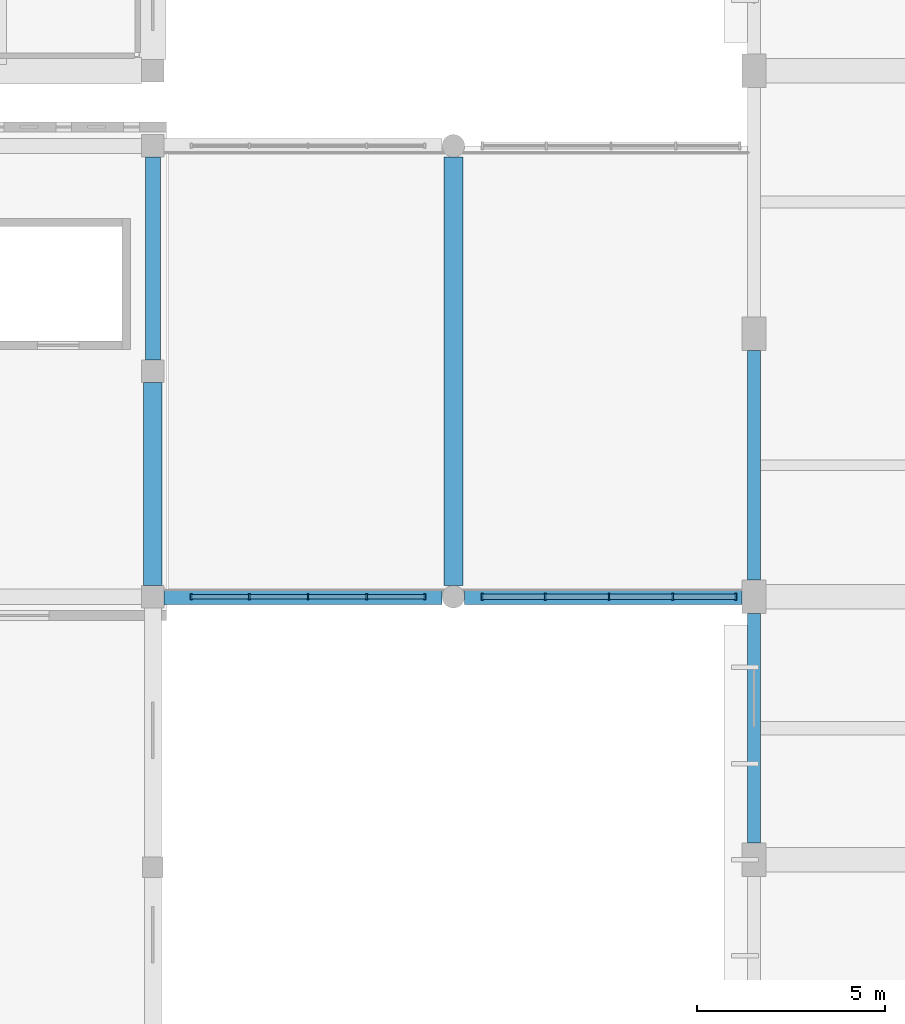
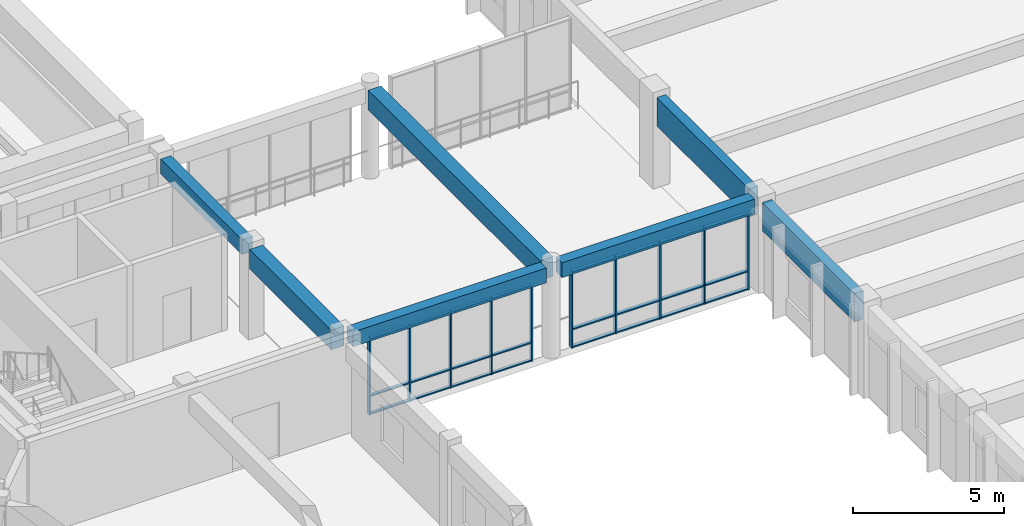
# One storey, part 20 of 98: 34 members, 7 beams, 2 elements without a shape of their own.
"""IFC4 building model written with IfcOpenShell, lengths in metres."""

from ifc_helpers import new_model, si_unit, direction, frame, origin, origin_2d, place, context, subcontext, project, spatial, rectangle, extrude, material, material_profile, profile_set, type_object, element, aggregate, save


model = new_model("IFC4")

# Units and contexts
model_context = context("Model", 3, precision=1e-05, world=origin(), true_north=direction((0.0, 1.0)))
body_context = subcontext(model_context, "Body", "Model", "MODEL_VIEW")
ifc_project = project(units=[si_unit("LENGTHUNIT", "METRE"), si_unit("AREAUNIT", "SQUARE_METRE"), si_unit("VOLUMEUNIT", "CUBIC_METRE"), si_unit("PLANEANGLEUNIT", "RADIAN"), si_unit("MASSUNIT", "GRAM", prefix="KILO")], contexts=[model_context])

# Site, building, storey
site_placement = place(None, origin())
site = spatial("IfcSite", under=ifc_project, at=site_placement, CompositionType="ELEMENT")
building_placement = place(site_placement, origin())
building = spatial("IfcBuilding", under=site, at=building_placement, Name="Larkveld Mobility Hub", CompositionType="ELEMENT")
storey_placement = place(building_placement, frame((0.0, 0.0, 4.5)))
storey = spatial("IfcBuildingStorey", under=building, at=storey_placement, Name="L01", CompositionType="ELEMENT", Elevation=4.5)

# Beams
ifc_material_1 = material(Name="Concrete C40/50", Category="concrete")
ifc_material_profile_1 = material_profile(ifc_material_1, rectangle(XDim=0.39990234375, YDim=0.60009765625, at=origin_2d()), Name="RC BM 400x600")
ifc_profile_set_1 = profile_set([ifc_material_profile_1], Name="Concrete C40/50")
beam_type_1 = type_object("IfcBeamType", Name="BM-RC4060", PredefinedType="BEAM", material=ifc_profile_set_1)
beam_1_placement = place(storey_placement, frame((96.300048828125, 84.0, 3.39501953125), z_axis=(1.0, 0.0, 0.0), x_axis=(0.0, 1.0, 0.0)))
element("IfcBeam", 1, at=beam_1_placement, inside=storey, type_object=beam_type_1, Name="Footbridge L01 Canopy E-W Girder L01-0283", PredefinedType="BEAM", context=body_context, shape_type="SweptSolid", body=[
    extrude(rectangle(XDim=0.39990234375, YDim=0.60009765625, at=origin_2d()), origin(), (0.0, 0.0, 1.0), 7.39990234375),
])
beam_2_placement = place(storey_placement, frame((104.300048828125, 84.0, 3.39501953125), z_axis=(1.0, 0.0, 0.0), x_axis=(0.0, 1.0, 0.0)))
element("IfcBeam", 2, at=beam_2_placement, inside=storey, type_object=beam_type_1, Name="Footbridge L01 Canopy E-W Girder L01-0283", PredefinedType="BEAM", context=body_context, shape_type="SweptSolid", body=[
    extrude(rectangle(XDim=0.39990234375, YDim=0.60009765625, at=origin_2d()), origin(), (0.0, 0.0, 1.0), 7.375),
])
beam_3_placement = place(storey_placement, frame((96.0, 90.300048828125, 3.360107421875), z_axis=(0.0, 1.0, 0.0), x_axis=(-1.0, 0.0, 0.0)))
element("IfcBeam", 3, at=beam_3_placement, inside=storey, type_object=beam_type_1, Name="Primary N-S Girder L01-0389", PredefinedType="BEAM", context=body_context, shape_type="SweptSolid", body=[
    extrude(rectangle(XDim=0.39990234375, YDim=0.60009765625, at=origin_2d()), origin(), (0.0, 0.0, 1.0), 5.39990234375),
])
ifc_material_profile_2 = material_profile(ifc_material_1, rectangle(XDim=0.5, YDim=0.800048828125, at=origin_2d()), Name="RC BM 500x800")
ifc_profile_set_2 = profile_set([ifc_material_profile_2], Name="Concrete C40/50")
beam_type_2 = type_object("IfcBeamType", Name="BM-RC5080", PredefinedType="BEAM", material=ifc_profile_set_2)
beam_4_placement = place(storey_placement, frame((96.0, 84.300048828125, 3.260009765625), z_axis=(0.0, 1.0, 0.0), x_axis=(-1.0, 0.0, 0.0)))
element("IfcBeam", 4, at=beam_4_placement, inside=storey, type_object=beam_type_2, Name="Primary N-S Girder L01-0388", PredefinedType="BEAM", context=body_context, shape_type="SweptSolid", body=[
    extrude(rectangle(XDim=0.5, YDim=0.800048828125, at=origin_2d()), origin(), (0.0, 0.0, 1.0), 5.39990234375),
])
beam_5_placement = place(storey_placement, frame((104.0, 84.300048828125, 3.260009765625), z_axis=(0.0, 1.0, 0.0), x_axis=(-1.0, 0.0, 0.0)))
element("IfcBeam", 5, at=beam_5_placement, inside=storey, type_object=beam_type_2, Name="Primary N-S Girder L01-0393", PredefinedType="BEAM", context=body_context, shape_type="SweptSolid", body=[
    extrude(rectangle(XDim=0.5, YDim=0.800048828125, at=origin_2d()), origin(), (0.0, 0.0, 1.0), 11.39990234375),
])
ifc_material_2 = material(Name="Precast concrete C50/60", Category="concrete")
ifc_material_profile_3 = material_profile(ifc_material_2, rectangle(XDim=0.35009765625, YDim=1.14990234375, at=origin_2d()), Name="PC SP 350x1150")
ifc_profile_set_3 = profile_set([ifc_material_profile_3], Name="Precast concrete C50/60")
beam_type_3 = type_object("IfcBeamType", Name="BM-SP35115", PredefinedType="SPANDREL", material=ifc_profile_set_3)
for number, where, z_axis, x_axis, name in (
    (6, (112.0, 77.449951171875, 3.0849609375), (0.0, 1.0, 0.0), (-1.0, 0.0, 0.0), "Primary N-S Girder L01-0404"),
    (7, (112.0, 84.449951171875, 3.0849609375), (0.0, 1.0, 0.0), (-1.0, 0.0, 0.0), "Primary N-S Girder L01-0405"),
):
    element("IfcBeam", number, at=place(storey_placement, frame(where, z_axis=z_axis, x_axis=x_axis)), inside=storey, type_object=beam_type_3, Name=name, PredefinedType="SPANDREL", context=body_context, shape_type="SweptSolid", body=[
        extrude(rectangle(XDim=0.35009765625, YDim=1.14990234375, at=origin_2d()), origin(), (0.0, 0.0, 1.0), 6.10009765625),
    ])

# Curtain wall, members
ifc_material_3 = material(Name="Anodised aluminium 6063-T6", Category="aluminium")
curtain_wall_type_1 = type_object("IfcCurtainWallType", Name="CW-SYS-01", PredefinedType="NOTDEFINED", material=ifc_material_3)
curtain_wall_1_placement = place(storey_placement, origin())
curtain_wall_1 = element("IfcCurtainWall", 8, at=curtain_wall_1_placement, inside=storey, type_object=curtain_wall_type_1, Name="Concourse Footbridge L01 South Glazing CW-001", PredefinedType="NOTDEFINED")
ifc_material_profile_4 = material_profile(ifc_material_3, rectangle(XDim=0.050048828125, YDim=0.14990234375, at=origin_2d()), Name="ALU MULL 50x150")
ifc_profile_set_4 = profile_set([ifc_material_profile_4], Name="Anodised aluminium 6063-T6")
member_type_1 = type_object("IfcMemberType", Name="CW-MUL-01", PredefinedType="MULLION", material=ifc_profile_set_4)
member_1_placement = place(storey_placement, frame((97.02490234375, 84.0, -0.001953125), z_axis=(0.0, 0.0, 1.0), x_axis=(1.0, 0.0, 0.0)))
member_1 = element("IfcMember", 9, at=member_1_placement, type_object=member_type_1, Name="CW01 mullion 1", PredefinedType="MULLION", context=body_context, shape_type="SweptSolid", body=[
    extrude(rectangle(XDim=0.050048828125, YDim=0.14990234375, at=origin_2d()), origin(), (0.0, 0.0, 1.0), 3.096923828125),
])
member_2_placement = place(storey_placement, frame((98.56494140625, 84.0, -0.001953125), z_axis=(0.0, 0.0, 1.0), x_axis=(1.0, 0.0, 0.0)))
member_2 = element("IfcMember", 10, at=member_2_placement, type_object=member_type_1, Name="CW01 mullion 2", PredefinedType="MULLION", context=body_context, shape_type="SweptSolid", body=[
    extrude(rectangle(XDim=0.050048828125, YDim=0.14990234375, at=origin_2d()), origin(), (0.0, 0.0, 1.0), 3.096923828125),
])
member_3_placement = place(storey_placement, frame((100.1298828125, 84.0, -0.001953125), z_axis=(0.0, 0.0, 1.0), x_axis=(1.0, 0.0, 0.0)))
member_3 = element("IfcMember", 11, at=member_3_placement, type_object=member_type_1, Name="CW01 mullion 3", PredefinedType="MULLION", context=body_context, shape_type="SweptSolid", body=[
    extrude(rectangle(XDim=0.050048828125, YDim=0.14990234375, at=origin_2d()), origin(), (0.0, 0.0, 1.0), 3.096923828125),
])
member_4_placement = place(storey_placement, frame((101.695068359375, 84.0, -0.001953125), z_axis=(0.0, 0.0, 1.0), x_axis=(1.0, 0.0, 0.0)))
member_4 = element("IfcMember", 12, at=member_4_placement, type_object=member_type_1, Name="CW01 mullion 4", PredefinedType="MULLION", context=body_context, shape_type="SweptSolid", body=[
    extrude(rectangle(XDim=0.050048828125, YDim=0.14990234375, at=origin_2d()), origin(), (0.0, 0.0, 1.0), 3.096923828125),
])
member_5_placement = place(storey_placement, frame((103.235107421875, 84.0, -0.001953125), z_axis=(0.0, 0.0, 1.0), x_axis=(1.0, 0.0, 0.0)))
member_5 = element("IfcMember", 13, at=member_5_placement, type_object=member_type_1, Name="CW01 mullion 5", PredefinedType="MULLION", context=body_context, shape_type="SweptSolid", body=[
    extrude(rectangle(XDim=0.050048828125, YDim=0.14990234375, at=origin_2d()), origin(), (0.0, 0.0, 1.0), 3.096923828125),
])

curtain_wall_type_2 = type_object("IfcCurtainWallType", Name="CW-SYS-02", PredefinedType="NOTDEFINED", material=ifc_material_3)
curtain_wall_2_placement = place(storey_placement, origin())
curtain_wall_2 = element("IfcCurtainWall", 14, at=curtain_wall_2_placement, inside=storey, type_object=curtain_wall_type_2, Name="Concourse Footbridge L01 South Glazing CW-002", PredefinedType="NOTDEFINED")
ifc_material_profile_5 = material_profile(ifc_material_3, rectangle(XDim=0.050048828125, YDim=0.179931640625, at=origin_2d()), Name="ALU MULL 50x180")
ifc_profile_set_5 = profile_set([ifc_material_profile_5], Name="Anodised aluminium 6063-T6")
member_type_2 = type_object("IfcMemberType", Name="CW-MUL-02", PredefinedType="MULLION", material=ifc_profile_set_5)
member_6_placement = place(storey_placement, frame((104.764892578125, 84.0, -0.001953125), z_axis=(0.0, 0.0, 1.0), x_axis=(1.0, 0.0, 0.0)))
member_6 = element("IfcMember", 15, at=member_6_placement, type_object=member_type_2, Name="CW02 mullion 1", PredefinedType="MULLION", context=body_context, shape_type="SweptSolid", body=[
    extrude(rectangle(XDim=0.050048828125, YDim=0.179931640625, at=origin_2d()), origin(), (0.0, 0.0, 1.0), 3.096923828125),
])
member_7_placement = place(storey_placement, frame((106.43994140625, 84.0, -0.001953125), z_axis=(0.0, 0.0, 1.0), x_axis=(1.0, 0.0, 0.0)))
member_7 = element("IfcMember", 16, at=member_7_placement, type_object=member_type_2, Name="CW02 mullion 2", PredefinedType="MULLION", context=body_context, shape_type="SweptSolid", body=[
    extrude(rectangle(XDim=0.050048828125, YDim=0.179931640625, at=origin_2d()), origin(), (0.0, 0.0, 1.0), 3.096923828125),
])
member_8_placement = place(storey_placement, frame((108.139892578125, 84.0, -0.001953125), z_axis=(0.0, 0.0, 1.0), x_axis=(1.0, 0.0, 0.0)))
member_8 = element("IfcMember", 17, at=member_8_placement, type_object=member_type_2, Name="CW02 mullion 3", PredefinedType="MULLION", context=body_context, shape_type="SweptSolid", body=[
    extrude(rectangle(XDim=0.050048828125, YDim=0.179931640625, at=origin_2d()), origin(), (0.0, 0.0, 1.0), 3.096923828125),
])
member_9_placement = place(storey_placement, frame((109.840087890625, 84.0, -0.001953125), z_axis=(0.0, 0.0, 1.0), x_axis=(1.0, 0.0, 0.0)))
member_9 = element("IfcMember", 18, at=member_9_placement, type_object=member_type_2, Name="CW02 mullion 4", PredefinedType="MULLION", context=body_context, shape_type="SweptSolid", body=[
    extrude(rectangle(XDim=0.050048828125, YDim=0.179931640625, at=origin_2d()), origin(), (0.0, 0.0, 1.0), 3.096923828125),
])
member_10_placement = place(storey_placement, frame((111.514892578125, 84.0, -0.001953125), z_axis=(0.0, 0.0, 1.0), x_axis=(1.0, 0.0, 0.0)))
member_10 = element("IfcMember", 19, at=member_10_placement, type_object=member_type_2, Name="CW02 mullion 5", PredefinedType="MULLION", context=body_context, shape_type="SweptSolid", body=[
    extrude(rectangle(XDim=0.050048828125, YDim=0.179931640625, at=origin_2d()), origin(), (0.0, 0.0, 1.0), 3.096923828125),
])

# Member
ifc_material_profile_6 = material_profile(ifc_material_3, rectangle(XDim=0.1201171875, YDim=0.050048828125, at=origin_2d()), Name="ALU TRAN 50x120")
ifc_profile_set_6 = profile_set([ifc_material_profile_6], Name="Anodised aluminium 6063-T6")
member_type_3 = type_object("IfcMemberType", Name="CW-TRN-01", PredefinedType="USERDEFINED", material=ifc_profile_set_6)
member_11_placement = place(storey_placement, frame((97.034912109375, 84.0, 0.030029296875), z_axis=(1.0, 0.0, 0.0), x_axis=(0.0, 1.0, 0.0)))
member_11 = element("IfcMember", 20, at=member_11_placement, type_object=member_type_3, Name="CW01 transom 1.1", ObjectType="TRANSOM", PredefinedType="USERDEFINED", context=body_context, shape_type="SweptSolid", body=[
    extrude(rectangle(XDim=0.1201171875, YDim=0.050048828125, at=origin_2d()), origin(), (0.0, 0.0, 1.0), 1.51513671875),
])

member_12_placement = place(storey_placement, frame((97.034912109375, 84.0, 0.75), z_axis=(1.0, 0.0, 0.0), x_axis=(0.0, 1.0, 0.0)))
member_12 = element("IfcMember", 21, at=member_12_placement, type_object=member_type_3, Name="CW01 transom 1.2", ObjectType="TRANSOM", PredefinedType="USERDEFINED", context=body_context, shape_type="SweptSolid", body=[
    extrude(rectangle(XDim=0.1201171875, YDim=0.050048828125, at=origin_2d()), origin(), (0.0, 0.0, 1.0), 1.51513671875),
])

member_13_placement = place(storey_placement, frame((97.034912109375, 84.0, 3.06298828125), z_axis=(1.0, 0.0, 0.0), x_axis=(0.0, 1.0, 0.0)))
member_13 = element("IfcMember", 22, at=member_13_placement, type_object=member_type_3, Name="CW01 transom 1.3", ObjectType="TRANSOM", PredefinedType="USERDEFINED", context=body_context, shape_type="SweptSolid", body=[
    extrude(rectangle(XDim=0.1201171875, YDim=0.050048828125, at=origin_2d()), origin(), (0.0, 0.0, 1.0), 1.51513671875),
])

member_14_placement = place(storey_placement, frame((98.580078125, 84.0, 0.030029296875), z_axis=(1.0, 0.0, 0.0), x_axis=(0.0, 1.0, 0.0)))
member_14 = element("IfcMember", 23, at=member_14_placement, type_object=member_type_3, Name="CW01 transom 2.1", ObjectType="TRANSOM", PredefinedType="USERDEFINED", context=body_context, shape_type="SweptSolid", body=[
    extrude(rectangle(XDim=0.1201171875, YDim=0.050048828125, at=origin_2d()), origin(), (0.0, 0.0, 1.0), 1.534912109375),
])

member_15_placement = place(storey_placement, frame((98.580078125, 84.0, 0.75), z_axis=(1.0, 0.0, 0.0), x_axis=(0.0, 1.0, 0.0)))
member_15 = element("IfcMember", 24, at=member_15_placement, type_object=member_type_3, Name="CW01 transom 2.2", ObjectType="TRANSOM", PredefinedType="USERDEFINED", context=body_context, shape_type="SweptSolid", body=[
    extrude(rectangle(XDim=0.1201171875, YDim=0.050048828125, at=origin_2d()), origin(), (0.0, 0.0, 1.0), 1.534912109375),
])

member_16_placement = place(storey_placement, frame((98.580078125, 84.0, 3.06298828125), z_axis=(1.0, 0.0, 0.0), x_axis=(0.0, 1.0, 0.0)))
member_16 = element("IfcMember", 25, at=member_16_placement, type_object=member_type_3, Name="CW01 transom 2.3", ObjectType="TRANSOM", PredefinedType="USERDEFINED", context=body_context, shape_type="SweptSolid", body=[
    extrude(rectangle(XDim=0.1201171875, YDim=0.050048828125, at=origin_2d()), origin(), (0.0, 0.0, 1.0), 1.534912109375),
])

member_17_placement = place(storey_placement, frame((100.14501953125, 84.0, 0.030029296875), z_axis=(1.0, 0.0, 0.0), x_axis=(0.0, 1.0, 0.0)))
member_17 = element("IfcMember", 26, at=member_17_placement, type_object=member_type_3, Name="CW01 transom 3.1", ObjectType="TRANSOM", PredefinedType="USERDEFINED", context=body_context, shape_type="SweptSolid", body=[
    extrude(rectangle(XDim=0.1201171875, YDim=0.050048828125, at=origin_2d()), origin(), (0.0, 0.0, 1.0), 1.534912109375),
])

member_18_placement = place(storey_placement, frame((100.14501953125, 84.0, 0.75), z_axis=(1.0, 0.0, 0.0), x_axis=(0.0, 1.0, 0.0)))
member_18 = element("IfcMember", 27, at=member_18_placement, type_object=member_type_3, Name="CW01 transom 3.2", ObjectType="TRANSOM", PredefinedType="USERDEFINED", context=body_context, shape_type="SweptSolid", body=[
    extrude(rectangle(XDim=0.1201171875, YDim=0.050048828125, at=origin_2d()), origin(), (0.0, 0.0, 1.0), 1.534912109375),
])

member_19_placement = place(storey_placement, frame((100.14501953125, 84.0, 3.06298828125), z_axis=(1.0, 0.0, 0.0), x_axis=(0.0, 1.0, 0.0)))
member_19 = element("IfcMember", 28, at=member_19_placement, type_object=member_type_3, Name="CW01 transom 3.3", ObjectType="TRANSOM", PredefinedType="USERDEFINED", context=body_context, shape_type="SweptSolid", body=[
    extrude(rectangle(XDim=0.1201171875, YDim=0.050048828125, at=origin_2d()), origin(), (0.0, 0.0, 1.0), 1.534912109375),
])

member_20_placement = place(storey_placement, frame((101.7099609375, 84.0, 0.030029296875), z_axis=(1.0, 0.0, 0.0), x_axis=(0.0, 1.0, 0.0)))
member_20 = element("IfcMember", 29, at=member_20_placement, type_object=member_type_3, Name="CW01 transom 4.1", ObjectType="TRANSOM", PredefinedType="USERDEFINED", context=body_context, shape_type="SweptSolid", body=[
    extrude(rectangle(XDim=0.1201171875, YDim=0.050048828125, at=origin_2d()), origin(), (0.0, 0.0, 1.0), 1.51513671875),
])

member_21_placement = place(storey_placement, frame((101.7099609375, 84.0, 0.75), z_axis=(1.0, 0.0, 0.0), x_axis=(0.0, 1.0, 0.0)))
member_21 = element("IfcMember", 30, at=member_21_placement, type_object=member_type_3, Name="CW01 transom 4.2", ObjectType="TRANSOM", PredefinedType="USERDEFINED", context=body_context, shape_type="SweptSolid", body=[
    extrude(rectangle(XDim=0.1201171875, YDim=0.050048828125, at=origin_2d()), origin(), (0.0, 0.0, 1.0), 1.51513671875),
])

member_22_placement = place(storey_placement, frame((101.7099609375, 84.0, 3.06298828125), z_axis=(1.0, 0.0, 0.0), x_axis=(0.0, 1.0, 0.0)))
member_22 = element("IfcMember", 31, at=member_22_placement, type_object=member_type_3, Name="CW01 transom 4.3", ObjectType="TRANSOM", PredefinedType="USERDEFINED", context=body_context, shape_type="SweptSolid", body=[
    extrude(rectangle(XDim=0.1201171875, YDim=0.050048828125, at=origin_2d()), origin(), (0.0, 0.0, 1.0), 1.51513671875),
])

aggregate(curtain_wall_1, [member_1, member_2, member_3, member_4, member_5, member_11, member_12, member_13, member_14, member_15, member_16, member_17, member_18, member_19, member_20, member_21, member_22])

ifc_material_profile_7 = material_profile(ifc_material_3, rectangle(XDim=0.14990234375, YDim=0.050048828125, at=origin_2d()), Name="ALU TRAN 50x150")
ifc_profile_set_7 = profile_set([ifc_material_profile_7], Name="Anodised aluminium 6063-T6")
member_type_4 = type_object("IfcMemberType", Name="CW-TRN-02", PredefinedType="USERDEFINED", material=ifc_profile_set_7)
member_23_placement = place(storey_placement, frame((104.77490234375, 84.0, 0.030029296875), z_axis=(1.0, 0.0, 0.0), x_axis=(0.0, 1.0, 0.0)))
member_23 = element("IfcMember", 32, at=member_23_placement, type_object=member_type_4, Name="CW02 transom 1.1", ObjectType="TRANSOM", PredefinedType="USERDEFINED", context=body_context, shape_type="SweptSolid", body=[
    extrude(rectangle(XDim=0.14990234375, YDim=0.050048828125, at=origin_2d()), origin(), (0.0, 0.0, 1.0), 1.650146484375),
])

member_24_placement = place(storey_placement, frame((104.77490234375, 84.0, 0.75), z_axis=(1.0, 0.0, 0.0), x_axis=(0.0, 1.0, 0.0)))
member_24 = element("IfcMember", 33, at=member_24_placement, type_object=member_type_4, Name="CW02 transom 1.2", ObjectType="TRANSOM", PredefinedType="USERDEFINED", context=body_context, shape_type="SweptSolid", body=[
    extrude(rectangle(XDim=0.14990234375, YDim=0.050048828125, at=origin_2d()), origin(), (0.0, 0.0, 1.0), 1.650146484375),
])

member_25_placement = place(storey_placement, frame((104.77490234375, 84.0, 3.06298828125), z_axis=(1.0, 0.0, 0.0), x_axis=(0.0, 1.0, 0.0)))
member_25 = element("IfcMember", 34, at=member_25_placement, type_object=member_type_4, Name="CW02 transom 1.3", ObjectType="TRANSOM", PredefinedType="USERDEFINED", context=body_context, shape_type="SweptSolid", body=[
    extrude(rectangle(XDim=0.14990234375, YDim=0.050048828125, at=origin_2d()), origin(), (0.0, 0.0, 1.0), 1.650146484375),
])

member_26_placement = place(storey_placement, frame((106.455078125, 84.0, 0.030029296875), z_axis=(1.0, 0.0, 0.0), x_axis=(0.0, 1.0, 0.0)))
member_26 = element("IfcMember", 35, at=member_26_placement, type_object=member_type_4, Name="CW02 transom 2.1", ObjectType="TRANSOM", PredefinedType="USERDEFINED", context=body_context, shape_type="SweptSolid", body=[
    extrude(rectangle(XDim=0.14990234375, YDim=0.050048828125, at=origin_2d()), origin(), (0.0, 0.0, 1.0), 1.669921875),
])

member_27_placement = place(storey_placement, frame((106.455078125, 84.0, 0.75), z_axis=(1.0, 0.0, 0.0), x_axis=(0.0, 1.0, 0.0)))
member_27 = element("IfcMember", 36, at=member_27_placement, type_object=member_type_4, Name="CW02 transom 2.2", ObjectType="TRANSOM", PredefinedType="USERDEFINED", context=body_context, shape_type="SweptSolid", body=[
    extrude(rectangle(XDim=0.14990234375, YDim=0.050048828125, at=origin_2d()), origin(), (0.0, 0.0, 1.0), 1.669921875),
])

member_28_placement = place(storey_placement, frame((106.455078125, 84.0, 3.06298828125), z_axis=(1.0, 0.0, 0.0), x_axis=(0.0, 1.0, 0.0)))
member_28 = element("IfcMember", 37, at=member_28_placement, type_object=member_type_4, Name="CW02 transom 2.3", ObjectType="TRANSOM", PredefinedType="USERDEFINED", context=body_context, shape_type="SweptSolid", body=[
    extrude(rectangle(XDim=0.14990234375, YDim=0.050048828125, at=origin_2d()), origin(), (0.0, 0.0, 1.0), 1.669921875),
])

member_29_placement = place(storey_placement, frame((108.155029296875, 84.0, 0.030029296875), z_axis=(1.0, 0.0, 0.0), x_axis=(0.0, 1.0, 0.0)))
member_29 = element("IfcMember", 38, at=member_29_placement, type_object=member_type_4, Name="CW02 transom 3.1", ObjectType="TRANSOM", PredefinedType="USERDEFINED", context=body_context, shape_type="SweptSolid", body=[
    extrude(rectangle(XDim=0.14990234375, YDim=0.050048828125, at=origin_2d()), origin(), (0.0, 0.0, 1.0), 1.669921875),
])

member_30_placement = place(storey_placement, frame((108.155029296875, 84.0, 0.75), z_axis=(1.0, 0.0, 0.0), x_axis=(0.0, 1.0, 0.0)))
member_30 = element("IfcMember", 39, at=member_30_placement, type_object=member_type_4, Name="CW02 transom 3.2", ObjectType="TRANSOM", PredefinedType="USERDEFINED", context=body_context, shape_type="SweptSolid", body=[
    extrude(rectangle(XDim=0.14990234375, YDim=0.050048828125, at=origin_2d()), origin(), (0.0, 0.0, 1.0), 1.669921875),
])

member_31_placement = place(storey_placement, frame((108.155029296875, 84.0, 3.06298828125), z_axis=(1.0, 0.0, 0.0), x_axis=(0.0, 1.0, 0.0)))
member_31 = element("IfcMember", 40, at=member_31_placement, type_object=member_type_4, Name="CW02 transom 3.3", ObjectType="TRANSOM", PredefinedType="USERDEFINED", context=body_context, shape_type="SweptSolid", body=[
    extrude(rectangle(XDim=0.14990234375, YDim=0.050048828125, at=origin_2d()), origin(), (0.0, 0.0, 1.0), 1.669921875),
])

member_32_placement = place(storey_placement, frame((109.85498046875, 84.0, 0.030029296875), z_axis=(1.0, 0.0, 0.0), x_axis=(0.0, 1.0, 0.0)))
member_32 = element("IfcMember", 41, at=member_32_placement, type_object=member_type_4, Name="CW02 transom 4.1", ObjectType="TRANSOM", PredefinedType="USERDEFINED", context=body_context, shape_type="SweptSolid", body=[
    extrude(rectangle(XDim=0.14990234375, YDim=0.050048828125, at=origin_2d()), origin(), (0.0, 0.0, 1.0), 1.64990234375),
])

member_33_placement = place(storey_placement, frame((109.85498046875, 84.0, 0.75), z_axis=(1.0, 0.0, 0.0), x_axis=(0.0, 1.0, 0.0)))
member_33 = element("IfcMember", 42, at=member_33_placement, type_object=member_type_4, Name="CW02 transom 4.2", ObjectType="TRANSOM", PredefinedType="USERDEFINED", context=body_context, shape_type="SweptSolid", body=[
    extrude(rectangle(XDim=0.14990234375, YDim=0.050048828125, at=origin_2d()), origin(), (0.0, 0.0, 1.0), 1.64990234375),
])

member_34_placement = place(storey_placement, frame((109.85498046875, 84.0, 3.06298828125), z_axis=(1.0, 0.0, 0.0), x_axis=(0.0, 1.0, 0.0)))
member_34 = element("IfcMember", 43, at=member_34_placement, type_object=member_type_4, Name="CW02 transom 4.3", ObjectType="TRANSOM", PredefinedType="USERDEFINED", context=body_context, shape_type="SweptSolid", body=[
    extrude(rectangle(XDim=0.14990234375, YDim=0.050048828125, at=origin_2d()), origin(), (0.0, 0.0, 1.0), 1.64990234375),
])

aggregate(curtain_wall_2, [member_6, member_7, member_8, member_9, member_10, member_23, member_24, member_25, member_26, member_27, member_28, member_29, member_30, member_31, member_32, member_33, member_34])

save(model, "model.ifc")
